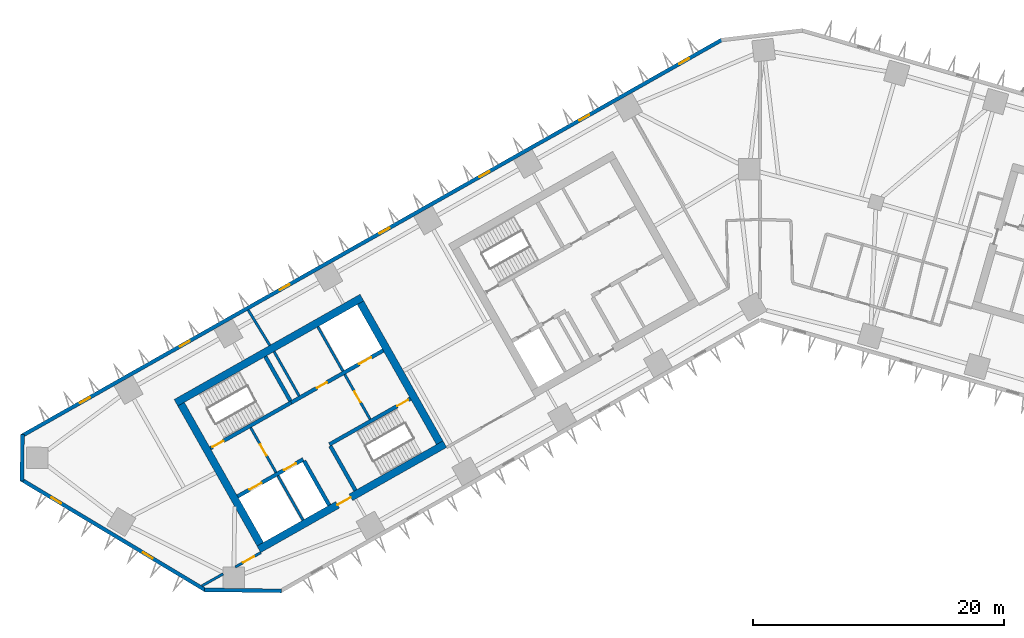
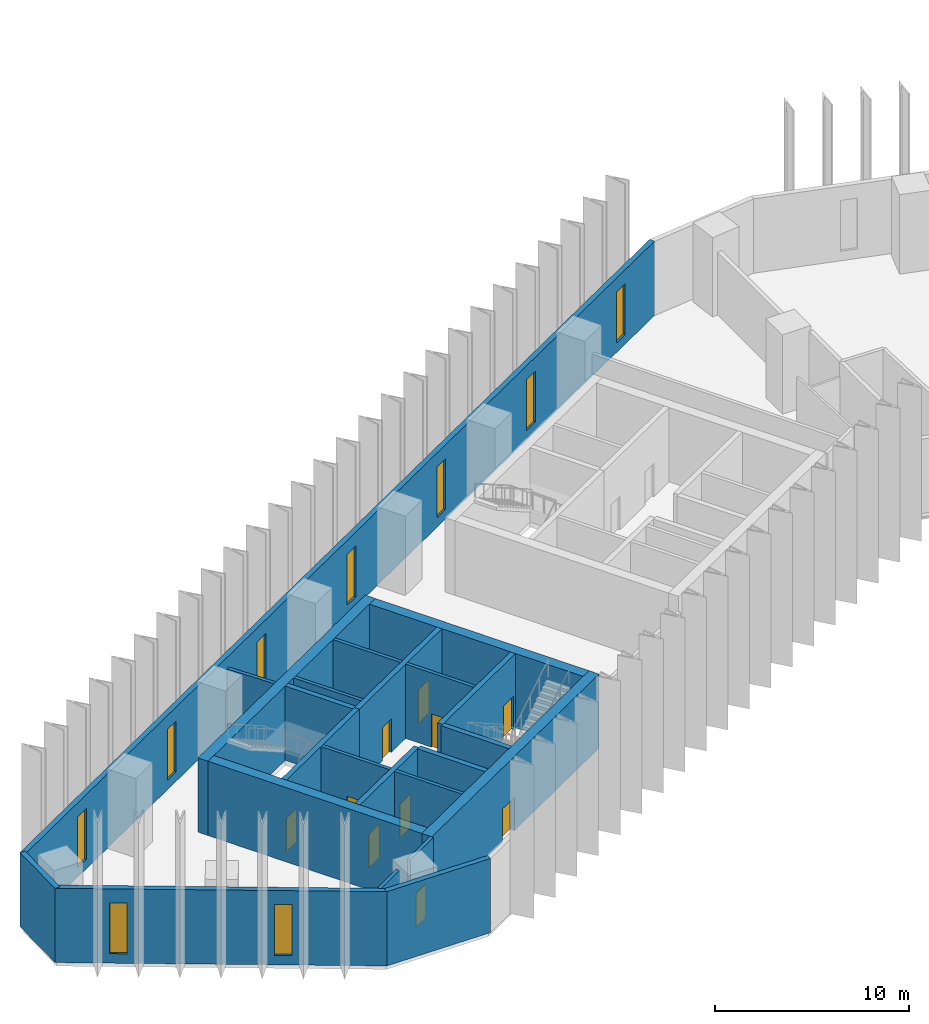
# One storey, part 3 of 11: 23 walls, 10 doors, 9 windows, 19 openings.
"""IFC4 building model written with IfcOpenShell, lengths in metres."""

from ifc_helpers import new_model, si_unit, direction, frame, frame_2d, origin, place, context, subcontext, project, spatial, rectangle, extrude, material, layer, layer_set, type_object, element, fill, save


model = new_model("IFC4")

# Units and contexts
model_context = context("Model", 3, precision=1e-05, world=origin(), true_north=direction((0.0, 1.0)))
body_context = subcontext(model_context, "Body", "Model", "MODEL_VIEW")
ifc_project = project(units=[si_unit("LENGTHUNIT", "METRE"), si_unit("AREAUNIT", "SQUARE_METRE"), si_unit("VOLUMEUNIT", "CUBIC_METRE"), si_unit("PLANEANGLEUNIT", "RADIAN"), si_unit("MASSUNIT", "GRAM", prefix="KILO")], contexts=[model_context])

# Site, building, storey
site_placement = place(None, origin())
site = spatial("IfcSite", under=ifc_project, at=site_placement, CompositionType="ELEMENT")
building_placement = place(site_placement, origin())
building = spatial("IfcBuilding", under=site, at=building_placement, Name="Binnacle Exchange Tower", CompositionType="ELEMENT")
storey_placement = place(building_placement, frame((0.0, 0.0, 56.5)))
storey = spatial("IfcBuildingStorey", under=building, at=storey_placement, Name="L11", CompositionType="ELEMENT", Elevation=56.5)

# Wall, openings, doors
ifc_material_1 = material(Name="Concrete C70/85", Category="concrete")
ifc_layer_1 = layer(ifc_material_1, 0.300048828125)
ifc_layer_set_1 = layer_set([ifc_layer_1], Name="Core wall - front 300")
wall_type_1 = type_object("IfcWallType", Name="Core wall - front 300", PredefinedType="SOLIDWALL", material=ifc_layer_set_1)
wall_1_placement = place(storey_placement, frame((-41.555908203125, 33.9609375, 0.0), z_axis=(0.0, 0.0, 1.0), x_axis=(0.870343731308, 0.492444706919, 0.0)))
wall_1 = element("IfcWall", 1, at=wall_1_placement, inside=storey, type_object=wall_type_1, Name="Core wall CRWA2", PredefinedType="SOLIDWALL", context=body_context, shape_type="SweptSolid", body=[
    extrude(rectangle(XDim=5.999755859375, YDim=0.300048828125, at=frame_2d((3.0, 0.0))), origin(), (0.0, 0.0, 1.0), 4.679931640625),
])
opening_1_placement = place(wall_1_placement, frame((1.099853515625, 0.0, 0.0)))
opening_1 = element("IfcOpeningElement", 2, at=opening_1_placement, cuts=wall_1, Name="Opening LD12", PredefinedType="OPENING", context=body_context, shape_type="SweptSolid", body=[
    extrude(rectangle(XDim=1.10009765625, YDim=2.10009765625, at=frame_2d((0.550048828125, 1.050048828125))), frame((0.0, 0.159912109375, 0.0), z_axis=(0.0, -1.0, 0.0), x_axis=(1.0, 0.0, 0.0)), (0.0, 0.0, 1.0), 0.320068359375),
])
opening_2_placement = place(wall_1_placement, frame((4.25, 0.0, 0.0)))
opening_2 = element("IfcOpeningElement", 3, at=opening_2_placement, cuts=wall_1, Name="Opening LD8", PredefinedType="OPENING", context=body_context, shape_type="SweptSolid", body=[
    extrude(rectangle(XDim=1.10009765625, YDim=2.10009765625, at=frame_2d((0.550048828125, 1.050048828125))), frame((0.0, 0.159912109375, 0.0), z_axis=(0.0, -1.0, 0.0), x_axis=(1.0, 0.0, 0.0)), (0.0, 0.0, 1.0), 0.320068359375),
])
ifc_material_2 = material(Name="Steel door leaf", Category="steel")
door_type_1 = type_object("IfcDoorType", Name="Fire door - lift landing 1100", OperationType="NOTDEFINED", PredefinedType="DOOR", material=ifc_material_2)
door_1_placement = place(opening_1_placement, origin())
door_1 = element("IfcDoor", 4, at=door_1_placement, inside=storey, type_object=door_type_1, Name="Landing door LD12 L11", OperationType="DOUBLE_DOOR_SLIDING", OverallHeight=2.10009765625, OverallWidth=1.10009765625, PredefinedType="DOOR", context=body_context, shape_type="SweptSolid", body=[
    extrude(rectangle(XDim=1.10009765625, YDim=2.10009765625, at=frame_2d((0.550048828125, 1.050048828125))), frame((0.0, 0.02490234375, 0.0), z_axis=(0.0, -1.0, 0.0), x_axis=(1.0, 0.0, 0.0)), (0.0, 0.0, 1.0), 0.050048828125),
])
fill(opening_1, door_1)
door_2_placement = place(opening_2_placement, origin())
door_2 = element("IfcDoor", 5, at=door_2_placement, inside=storey, type_object=door_type_1, Name="Landing door LD8 L11", OperationType="DOUBLE_DOOR_SLIDING", OverallHeight=2.10009765625, OverallWidth=1.10009765625, PredefinedType="DOOR", context=body_context, shape_type="SweptSolid", body=[
    extrude(rectangle(XDim=1.10009765625, YDim=2.10009765625, at=frame_2d((0.550048828125, 1.050048828125))), frame((0.0, 0.02490234375, 0.0), z_axis=(0.0, -1.0, 0.0), x_axis=(1.0, 0.0, 0.0)), (0.0, 0.0, 1.0), 0.050048828125),
])
fill(opening_2, door_2)

wall_2_placement = place(storey_placement, frame((-37.281982421875, 41.4345703125, 0.0), z_axis=(0.0, 0.0, 1.0), x_axis=(0.870356516133, 0.492422110414, 0.0)))
wall_2 = element("IfcWall", 6, at=wall_2_placement, inside=storey, type_object=wall_type_1, Name="Core wall CRWA5", PredefinedType="SOLIDWALL", context=body_context, shape_type="SweptSolid", body=[
    extrude(rectangle(XDim=8.399658203125, YDim=0.300048828125, at=frame_2d((4.19970703125, 0.0))), origin(), (0.0, 0.0, 1.0), 4.679931640625),
])
opening_3_placement = place(wall_2_placement, frame((6.199951171875, 0.0, 0.0)))
opening_3 = element("IfcOpeningElement", 7, at=opening_3_placement, cuts=wall_2, Name="Opening LD13", PredefinedType="OPENING", context=body_context, shape_type="SweptSolid", body=[
    extrude(rectangle(XDim=1.10009765625, YDim=2.10009765625, at=frame_2d((0.550048828125, 1.050048828125))), frame((0.0, 0.159912109375, 0.0), z_axis=(0.0, -1.0, 0.0), x_axis=(1.0, 0.0, 0.0)), (0.0, 0.0, 1.0), 0.320068359375),
])
opening_4_placement = place(wall_2_placement, frame((2.35009765625, 0.0, 0.0)))
opening_4 = element("IfcOpeningElement", 8, at=opening_4_placement, cuts=wall_2, Name="Opening DA10", PredefinedType="OPENING", context=body_context, shape_type="SweptSolid", body=[
    extrude(rectangle(XDim=0.89990234375, YDim=2.10009765625, at=frame_2d((0.449951171875, 1.050048828125))), frame((0.0, 0.159912109375, 0.0), z_axis=(0.0, -1.0, 0.0), x_axis=(1.0, 0.0, 0.0)), (0.0, 0.0, 1.0), 0.320068359375),
])
door_3_placement = place(opening_3_placement, origin())
door_3 = element("IfcDoor", 9, at=door_3_placement, inside=storey, type_object=door_type_1, Name="Landing door LD13 L11", OperationType="DOUBLE_DOOR_SLIDING", OverallHeight=2.10009765625, OverallWidth=1.10009765625, PredefinedType="DOOR", context=body_context, shape_type="SweptSolid", body=[
    extrude(rectangle(XDim=1.10009765625, YDim=2.10009765625, at=frame_2d((0.550048828125, 1.050048828125))), frame((0.0, 0.02490234375, 0.0), z_axis=(0.0, -1.0, 0.0), x_axis=(1.0, 0.0, 0.0)), (0.0, 0.0, 1.0), 0.050048828125),
])
fill(opening_3, door_3)
door_type_2 = type_object("IfcDoorType", Name="Fire door 900", OperationType="NOTDEFINED", PredefinedType="DOOR", material=ifc_material_2)
door_4_placement = place(opening_4_placement, origin())
door_4 = element("IfcDoor", 10, at=door_4_placement, inside=storey, type_object=door_type_2, Name="Core room door EQUIPMENT STORE", OperationType="SINGLE_SWING_LEFT", OverallHeight=2.10009765625, OverallWidth=0.89990234375, PredefinedType="DOOR", context=body_context, shape_type="SweptSolid", body=[
    extrude(rectangle(XDim=0.89990234375, YDim=2.10009765625, at=frame_2d((0.449951171875, 1.050048828125))), frame((0.0, 0.02490234375, 0.0), z_axis=(0.0, -1.0, 0.0), x_axis=(1.0, 0.0, 0.0)), (0.0, 0.0, 1.0), 0.050048828125),
])
fill(opening_4, door_4)

# Wall
wall_3_placement = place(storey_placement, frame((-36.260009765625, 36.784912109375, 0.0), z_axis=(0.0, 0.0, 1.0), x_axis=(0.492440575896, -0.870346068648, 0.0)))
element("IfcWall", 11, at=wall_3_placement, inside=storey, type_object=wall_type_1, Name="Core wall CRWA13", PredefinedType="SOLIDWALL", context=body_context, shape_type="SweptSolid", body=[
    extrude(rectangle(XDim=4.050048828125, YDim=0.300048828125, at=frame_2d((2.02490234375, 0.0))), origin(), (0.0, 0.0, 1.0), 4.679931640625),
])

# Wall, opening, door
ifc_layer_2 = layer(ifc_material_1, 0.60009765625)
ifc_layer_set_2 = layer_set([ifc_layer_2], Name="Core wall - outer 600")
wall_type_2 = type_object("IfcWallType", Name="Core wall - outer 600", PredefinedType="SOLIDWALL", material=ifc_layer_set_2)
wall_4_placement = place(storey_placement, frame((-39.8623046875, 29.748779296875, 0.0), z_axis=(0.0, 0.0, 1.0), x_axis=(0.870350116061, 0.492433422375, 0.0)))
wall_4 = element("IfcWall", 12, at=wall_4_placement, inside=storey, type_object=wall_type_2, Name="Core wall CRWA1", PredefinedType="SOLIDWALL", context=body_context, shape_type="SweptSolid", body=[
    extrude(rectangle(XDim=17.0, YDim=0.60009765625, at=frame_2d((8.5, 0.0))), origin(), (0.0, 0.0, 1.0), 4.679931640625),
])
opening_5_placement = place(wall_4_placement, frame((7.199951171875, 0.0, 0.0)))
opening_5 = element("IfcOpeningElement", 13, at=opening_5_placement, cuts=wall_4, Name="Opening DA7", PredefinedType="OPENING", context=body_context, shape_type="SweptSolid", body=[
    extrude(rectangle(XDim=1.199951171875, YDim=2.10009765625, at=frame_2d((0.60009765625, 1.050048828125))), frame((0.0, 0.31005859375, 0.0), z_axis=(0.0, -1.0, 0.0), x_axis=(1.0, 0.0, 0.0)), (0.0, 0.0, 1.0), 0.6201171875),
])
door_type_3 = type_object("IfcDoorType", Name="Fire door 1200", OperationType="NOTDEFINED", PredefinedType="DOOR", material=ifc_material_2)
door_5_placement = place(opening_5_placement, frame((1.199951171875, 0.0, 0.0), z_axis=(0.0, 0.0, 1.0), x_axis=(-1.0, 0.0, 0.0)))
door_5 = element("IfcDoor", 14, at=door_5_placement, inside=storey, type_object=door_type_3, Name="Lift lobby entrance door core A", OperationType="SINGLE_SWING_RIGHT", OverallHeight=2.10009765625, OverallWidth=1.199951171875, PredefinedType="DOOR", context=body_context, shape_type="SweptSolid", body=[
    extrude(rectangle(XDim=1.199951171875, YDim=2.10009765625, at=frame_2d((0.60009765625, 1.050048828125))), frame((0.0, 0.02490234375, 0.0), z_axis=(0.0, -1.0, 0.0), x_axis=(1.0, 0.0, 0.0)), (0.0, 0.0, 1.0), 0.050048828125),
])
fill(opening_5, door_5)

# Walls
wall_5_placement = place(storey_placement, frame((-46.460693359375, 41.41162109375, 0.0), z_axis=(0.0, 0.0, 1.0), x_axis=(0.870350116061, 0.492433422375, 0.0)))
element("IfcWall", 15, at=wall_5_placement, inside=storey, type_object=wall_type_2, Name="Core wall CRWA6", PredefinedType="SOLIDWALL", context=body_context, shape_type="SweptSolid", body=[
    extrude(rectangle(XDim=17.0, YDim=0.60009765625, at=frame_2d((8.5, 0.0))), origin(), (0.0, 0.0, 1.0), 4.679931640625),
])
for number, where, z_axis, x_axis, name in (
    (16, (-46.052001953125, 41.29833984375, 0.0), (0.0, 0.0, 1.0), (0.492418598281, -0.870358503186, 0.0), "Core wall CRWA7"),
    (17, (-31.7783203125, 49.3740234375, 0.0), (0.0, 0.0, 1.0), (0.492433046652, -0.870350328641, 0.0), "Core wall CRWA22"),
):
    element("IfcWall", number, at=place(storey_placement, frame(where, z_axis=z_axis, x_axis=x_axis)), inside=storey, type_object=wall_type_2, Name=name, PredefinedType="SOLIDWALL", context=body_context, shape_type="SweptSolid", body=[
        extrude(rectangle(XDim=12.800048828125, YDim=0.60009765625, at=frame_2d((6.39990234375, 0.0))), origin(), (0.0, 0.0, 1.0), 4.679931640625),
    ])

# Wall, opening, door
ifc_layer_3 = layer(ifc_material_1, 0.300048828125)
ifc_layer_set_3 = layer_set([ifc_layer_3], Name="Core wall - stair 300")
wall_type_3 = type_object("IfcWallType", Name="Core wall - stair 300", PredefinedType="SOLIDWALL", material=ifc_layer_set_3)
wall_6_placement = place(storey_placement, frame((-34.2451171875, 38.097412109375, 0.0), z_axis=(0.0, 0.0, 1.0), x_axis=(0.870364910201, 0.492407273597, 0.0)))
wall_6 = element("IfcWall", 18, at=wall_6_placement, inside=storey, type_object=wall_type_3, Name="Core wall CRWA3", PredefinedType="SOLIDWALL", context=body_context, shape_type="SweptSolid", body=[
    extrude(rectangle(XDim=7.39990234375, YDim=0.300048828125, at=frame_2d((3.699951171875, 0.0))), origin(), (0.0, 0.0, 1.0), 4.679931640625),
])
opening_6_placement = place(wall_6_placement, frame((6.199951171875, 0.0, 0.0)))
opening_6 = element("IfcOpeningElement", 19, at=opening_6_placement, cuts=wall_6, Name="Opening DA2", PredefinedType="OPENING", context=body_context, shape_type="SweptSolid", body=[
    extrude(rectangle(XDim=1.0, YDim=2.10009765625, at=frame_2d((0.5, 1.050048828125))), frame((0.0, 0.159912109375, 0.0), z_axis=(0.0, -1.0, 0.0), x_axis=(1.0, 0.0, 0.0)), (0.0, 0.0, 1.0), 0.320068359375),
])
door_type_4 = type_object("IfcDoorType", Name="Fire door 1000", OperationType="NOTDEFINED", PredefinedType="DOOR", material=ifc_material_2)
door_6_placement = place(opening_6_placement, frame((1.0, 0.0, 0.0), z_axis=(0.0, 0.0, 1.0), x_axis=(-1.0, 0.0, 0.0)))
door_6 = element("IfcDoor", 20, at=door_6_placement, inside=storey, type_object=door_type_4, Name="Stair door ST-A2", OperationType="SINGLE_SWING_LEFT", OverallHeight=2.10009765625, OverallWidth=1.0, PredefinedType="DOOR", context=body_context, shape_type="SweptSolid", body=[
    extrude(rectangle(XDim=1.0, YDim=2.10009765625, at=frame_2d((0.5, 1.050048828125))), frame((0.0, 0.02490234375, 0.0), z_axis=(0.0, -1.0, 0.0), x_axis=(1.0, 0.0, 0.0)), (0.0, 0.0, 1.0), 0.050048828125),
])
fill(opening_6, door_6)

wall_7_placement = place(storey_placement, frame((-43.72265625, 37.79052734375, 0.0), z_axis=(0.0, 0.0, 1.0), x_axis=(0.87035077051, 0.49243226567, 0.0)))
wall_7 = element("IfcWall", 21, at=wall_7_placement, inside=storey, type_object=wall_type_3, Name="Core wall CRWA4", PredefinedType="SOLIDWALL", context=body_context, shape_type="SweptSolid", body=[
    extrude(rectangle(XDim=7.400146484375, YDim=0.300048828125, at=frame_2d((3.7001953125, 0.0))), origin(), (0.0, 0.0, 1.0), 4.679931640625),
])
opening_7_placement = place(wall_7_placement, frame((0.199951171875, 0.0, 0.0)))
opening_7 = element("IfcOpeningElement", 22, at=opening_7_placement, cuts=wall_7, Name="Opening DA1", PredefinedType="OPENING", context=body_context, shape_type="SweptSolid", body=[
    extrude(rectangle(XDim=1.0, YDim=2.10009765625, at=frame_2d((0.5, 1.050048828125))), frame((0.0, 0.159912109375, 0.0), z_axis=(0.0, -1.0, 0.0), x_axis=(1.0, 0.0, 0.0)), (0.0, 0.0, 1.0), 0.320068359375),
])
door_7_placement = place(opening_7_placement, origin())
door_7 = element("IfcDoor", 23, at=door_7_placement, inside=storey, type_object=door_type_4, Name="Stair door ST-A1", OperationType="SINGLE_SWING_LEFT", OverallHeight=2.10009765625, OverallWidth=1.0, PredefinedType="DOOR", context=body_context, shape_type="SweptSolid", body=[
    extrude(rectangle(XDim=1.0, YDim=2.10009765625, at=frame_2d((0.5, 1.050048828125))), frame((0.0, 0.02490234375, 0.0), z_axis=(0.0, -1.0, 0.0), x_axis=(1.0, 0.0, 0.0)), (0.0, 0.0, 1.0), 0.050048828125),
])
fill(opening_7, door_7)

# Walls
wall_8_placement = place(storey_placement, frame((-39.350341796875, 45.090087890625, 0.0), z_axis=(0.0, 0.0, 1.0), x_axis=(0.49241474071, -0.870360685654, 0.0)))
element("IfcWall", 24, at=wall_8_placement, inside=storey, type_object=wall_type_3, Name="Core wall CRWA14", PredefinedType="SOLIDWALL", context=body_context, shape_type="SweptSolid", body=[
    extrude(rectangle(XDim=4.05029296875, YDim=0.300048828125, at=frame_2d((2.025146484375, 0.0))), origin(), (0.0, 0.0, 1.0), 4.679931640625),
])
wall_9_placement = place(storey_placement, frame((-34.171142578125, 37.966796875, 0.0), z_axis=(0.0, 0.0, 1.0), x_axis=(0.492394910396, -0.870371904542, 0.0)))
element("IfcWall", 25, at=wall_9_placement, inside=storey, type_object=wall_type_3, Name="Core wall CRWA16", PredefinedType="SOLIDWALL", context=body_context, shape_type="SweptSolid", body=[
    extrude(rectangle(XDim=4.0498046875, YDim=0.300048828125, at=frame_2d((2.02490234375, 0.0))), origin(), (0.0, 0.0, 1.0), 4.679931640625),
])

# Wall, openings, windows
ifc_material_3 = material(Name="Bronze aluminium cladding", Category="aluminium")
ifc_layer_4 = layer(ifc_material_3, 0.300048828125)
ifc_layer_set_4 = layer_set([ifc_layer_4], Name="External wall - spandrel 300")
wall_type_4 = type_object("IfcWallType", Name="External wall - spandrel 300", PredefinedType="STANDARD", material=ifc_layer_set_4)
wall_10_placement = place(storey_placement, frame((-58.744873046875, 38.763671875, 0.0), z_axis=(0.0, 0.0, 1.0), x_axis=(0.870355811726, 0.492423355453, 0.0)))
wall_10 = element("IfcWall", 26, at=wall_10_placement, inside=storey, type_object=wall_type_4, Name="External wall EW-F03 L11", PredefinedType="STANDARD", context=body_context, shape_type="SweptSolid", body=[
    extrude(rectangle(XDim=64.025390625, YDim=0.300048828125, at=frame_2d((32.0126953125, 0.0))), origin(), (0.0, 0.0, 1.0), 4.679931640625),
])
opening_8_placement = place(wall_10_placement, frame((60.12158203125, 0.0, 0.60009765625)))
opening_8 = element("IfcOpeningElement", 27, at=opening_8_placement, cuts=wall_10, Name="Opening WS1", PredefinedType="OPENING", context=body_context, shape_type="SweptSolid", body=[
    extrude(rectangle(XDim=0.89990234375, YDim=3.199951171875, at=frame_2d((0.449951171875, 1.60009765625))), frame((0.0, 0.159912109375, 0.0), z_axis=(0.0, -1.0, 0.0), x_axis=(1.0, 0.0, 0.0)), (0.0, 0.0, 1.0), 0.320068359375),
])
opening_9_placement = place(wall_10_placement, frame((50.99169921875, 0.0, 0.60009765625)))
opening_9 = element("IfcOpeningElement", 28, at=opening_9_placement, cuts=wall_10, Name="Opening WS1", PredefinedType="OPENING", context=body_context, shape_type="SweptSolid", body=[
    extrude(rectangle(XDim=0.89990234375, YDim=3.199951171875, at=frame_2d((0.449951171875, 1.60009765625))), frame((0.0, 0.159912109375, 0.0), z_axis=(0.0, -1.0, 0.0), x_axis=(1.0, 0.0, 0.0)), (0.0, 0.0, 1.0), 0.320068359375),
])
opening_10_placement = place(wall_10_placement, frame((41.86181640625, 0.0, 0.60009765625)))
opening_10 = element("IfcOpeningElement", 29, at=opening_10_placement, cuts=wall_10, Name="Opening WS1", PredefinedType="OPENING", context=body_context, shape_type="SweptSolid", body=[
    extrude(rectangle(XDim=0.89990234375, YDim=3.199951171875, at=frame_2d((0.449951171875, 1.60009765625))), frame((0.0, 0.159912109375, 0.0), z_axis=(0.0, -1.0, 0.0), x_axis=(1.0, 0.0, 0.0)), (0.0, 0.0, 1.0), 0.320068359375),
])
opening_11_placement = place(wall_10_placement, frame((32.73193359375, 0.0, 0.60009765625)))
opening_11 = element("IfcOpeningElement", 30, at=opening_11_placement, cuts=wall_10, Name="Opening WS1", PredefinedType="OPENING", context=body_context, shape_type="SweptSolid", body=[
    extrude(rectangle(XDim=0.89990234375, YDim=3.199951171875, at=frame_2d((0.449951171875, 1.60009765625))), frame((0.0, 0.159912109375, 0.0), z_axis=(0.0, -1.0, 0.0), x_axis=(1.0, 0.0, 0.0)), (0.0, 0.0, 1.0), 0.320068359375),
])
opening_12_placement = place(wall_10_placement, frame((23.60205078125, 0.0, 0.60009765625)))
opening_12 = element("IfcOpeningElement", 31, at=opening_12_placement, cuts=wall_10, Name="Opening WS1", PredefinedType="OPENING", context=body_context, shape_type="SweptSolid", body=[
    extrude(rectangle(XDim=0.89990234375, YDim=3.199951171875, at=frame_2d((0.449951171875, 1.60009765625))), frame((0.0, 0.159912109375, 0.0), z_axis=(0.0, -1.0, 0.0), x_axis=(1.0, 0.0, 0.0)), (0.0, 0.0, 1.0), 0.320068359375),
])
opening_13_placement = place(wall_10_placement, frame((14.47216796875, 0.0, 0.60009765625)))
opening_13 = element("IfcOpeningElement", 32, at=opening_13_placement, cuts=wall_10, Name="Opening WS1", PredefinedType="OPENING", context=body_context, shape_type="SweptSolid", body=[
    extrude(rectangle(XDim=0.89990234375, YDim=3.199951171875, at=frame_2d((0.449951171875, 1.60009765625))), frame((0.0, 0.159912109375, 0.0), z_axis=(0.0, -1.0, 0.0), x_axis=(1.0, 0.0, 0.0)), (0.0, 0.0, 1.0), 0.320068359375),
])
opening_14_placement = place(wall_10_placement, frame((5.34228515625, 0.0, 0.60009765625)))
opening_14 = element("IfcOpeningElement", 33, at=opening_14_placement, cuts=wall_10, Name="Opening WS1", PredefinedType="OPENING", context=body_context, shape_type="SweptSolid", body=[
    extrude(rectangle(XDim=0.89990234375, YDim=3.199951171875, at=frame_2d((0.449951171875, 1.60009765625))), frame((0.0, 0.159912109375, 0.0), z_axis=(0.0, -1.0, 0.0), x_axis=(1.0, 0.0, 0.0)), (0.0, 0.0, 1.0), 0.320068359375),
])
ifc_material_4 = material(Name="Bronze anodised aluminium frame", Category="aluminium")
window_type = type_object("IfcWindowType", Name="WS1 WINDOW 900x3200", PartitioningType="SINGLE_PANEL", PredefinedType="WINDOW", material=ifc_material_4)
window_1_placement = place(opening_8_placement, origin())
window_1 = element("IfcWindow", 34, at=window_1_placement, inside=storey, type_object=window_type, Name="Window WS1 L11", OverallHeight=3.199951171875, OverallWidth=0.89990234375, PartitioningType="SINGLE_PANEL", PredefinedType="WINDOW", context=body_context, shape_type="SweptSolid", body=[
    extrude(rectangle(XDim=0.89990234375, YDim=3.199951171875, at=frame_2d((0.449951171875, 1.60009765625))), frame((0.0, 0.030029296875, 0.0), z_axis=(0.0, -1.0, 0.0), x_axis=(1.0, 0.0, 0.0)), (0.0, 0.0, 1.0), 0.06005859375),
])
fill(opening_8, window_1)
window_2_placement = place(opening_9_placement, origin())
window_2 = element("IfcWindow", 35, at=window_2_placement, inside=storey, type_object=window_type, Name="Window WS1 L11", OverallHeight=3.199951171875, OverallWidth=0.89990234375, PartitioningType="SINGLE_PANEL", PredefinedType="WINDOW", context=body_context, shape_type="SweptSolid", body=[
    extrude(rectangle(XDim=0.89990234375, YDim=3.199951171875, at=frame_2d((0.449951171875, 1.60009765625))), frame((0.0, 0.030029296875, 0.0), z_axis=(0.0, -1.0, 0.0), x_axis=(1.0, 0.0, 0.0)), (0.0, 0.0, 1.0), 0.06005859375),
])
fill(opening_9, window_2)
window_3_placement = place(opening_10_placement, origin())
window_3 = element("IfcWindow", 36, at=window_3_placement, inside=storey, type_object=window_type, Name="Window WS1 L11", OverallHeight=3.199951171875, OverallWidth=0.89990234375, PartitioningType="SINGLE_PANEL", PredefinedType="WINDOW", context=body_context, shape_type="SweptSolid", body=[
    extrude(rectangle(XDim=0.89990234375, YDim=3.199951171875, at=frame_2d((0.449951171875, 1.60009765625))), frame((0.0, 0.030029296875, 0.0), z_axis=(0.0, -1.0, 0.0), x_axis=(1.0, 0.0, 0.0)), (0.0, 0.0, 1.0), 0.06005859375),
])
fill(opening_10, window_3)
window_4_placement = place(opening_11_placement, origin())
window_4 = element("IfcWindow", 37, at=window_4_placement, inside=storey, type_object=window_type, Name="Window WS1 L11", OverallHeight=3.199951171875, OverallWidth=0.89990234375, PartitioningType="SINGLE_PANEL", PredefinedType="WINDOW", context=body_context, shape_type="SweptSolid", body=[
    extrude(rectangle(XDim=0.89990234375, YDim=3.199951171875, at=frame_2d((0.449951171875, 1.60009765625))), frame((0.0, 0.030029296875, 0.0), z_axis=(0.0, -1.0, 0.0), x_axis=(1.0, 0.0, 0.0)), (0.0, 0.0, 1.0), 0.06005859375),
])
fill(opening_11, window_4)
window_5_placement = place(opening_12_placement, origin())
window_5 = element("IfcWindow", 38, at=window_5_placement, inside=storey, type_object=window_type, Name="Window WS1 L11", OverallHeight=3.199951171875, OverallWidth=0.89990234375, PartitioningType="SINGLE_PANEL", PredefinedType="WINDOW", context=body_context, shape_type="SweptSolid", body=[
    extrude(rectangle(XDim=0.89990234375, YDim=3.199951171875, at=frame_2d((0.449951171875, 1.60009765625))), frame((0.0, 0.030029296875, 0.0), z_axis=(0.0, -1.0, 0.0), x_axis=(1.0, 0.0, 0.0)), (0.0, 0.0, 1.0), 0.06005859375),
])
fill(opening_12, window_5)
window_6_placement = place(opening_13_placement, origin())
window_6 = element("IfcWindow", 39, at=window_6_placement, inside=storey, type_object=window_type, Name="Window WS1 L11", OverallHeight=3.199951171875, OverallWidth=0.89990234375, PartitioningType="SINGLE_PANEL", PredefinedType="WINDOW", context=body_context, shape_type="SweptSolid", body=[
    extrude(rectangle(XDim=0.89990234375, YDim=3.199951171875, at=frame_2d((0.449951171875, 1.60009765625))), frame((0.0, 0.030029296875, 0.0), z_axis=(0.0, -1.0, 0.0), x_axis=(1.0, 0.0, 0.0)), (0.0, 0.0, 1.0), 0.06005859375),
])
fill(opening_13, window_6)
window_7_placement = place(opening_14_placement, origin())
window_7 = element("IfcWindow", 40, at=window_7_placement, inside=storey, type_object=window_type, Name="Window WS1 L11", OverallHeight=3.199951171875, OverallWidth=0.89990234375, PartitioningType="SINGLE_PANEL", PredefinedType="WINDOW", context=body_context, shape_type="SweptSolid", body=[
    extrude(rectangle(XDim=0.89990234375, YDim=3.199951171875, at=frame_2d((0.449951171875, 1.60009765625))), frame((0.0, 0.030029296875, 0.0), z_axis=(0.0, -1.0, 0.0), x_axis=(1.0, 0.0, 0.0)), (0.0, 0.0, 1.0), 0.06005859375),
])
fill(opening_14, window_7)

# Wall
wall_11_placement = place(storey_placement, frame((-58.717041015625, 35.19384765625, 0.0), z_axis=(0.0, 0.0, 1.0), x_axis=(0.013069053407, 0.999914596275, 0.0)))
element("IfcWall", 41, at=wall_11_placement, inside=storey, type_object=wall_type_4, Name="External wall EW-F04 L11", PredefinedType="STANDARD", context=body_context, shape_type="SweptSolid", body=[
    extrude(rectangle(XDim=3.69873046875, YDim=0.300048828125, at=frame_2d((1.849365234375, 0.0))), origin(), (0.0, 0.0, 1.0), 4.679931640625),
])

# Wall, openings, windows
wall_12_placement = place(storey_placement, frame((-44.109375, 26.503662109375, 0.0), z_axis=(0.0, 0.0, 1.0), x_axis=(-0.857169502585, 0.515034410344, 0.0)))
wall_12 = element("IfcWall", 42, at=wall_12_placement, inside=storey, type_object=wall_type_4, Name="External wall EW-F05 L11", PredefinedType="STANDARD", context=body_context, shape_type="SweptSolid", body=[
    extrude(rectangle(XDim=17.126708984375, YDim=0.300048828125, at=frame_2d((8.5634765625, 0.0))), origin(), (0.0, 0.0, 1.0), 4.679931640625),
])
opening_15_placement = place(wall_12_placement, frame((13.403076171875, 0.0, 0.60009765625)))
opening_15 = element("IfcOpeningElement", 43, at=opening_15_placement, cuts=wall_12, Name="Opening WS1", PredefinedType="OPENING", context=body_context, shape_type="SweptSolid", body=[
    extrude(rectangle(XDim=0.89990234375, YDim=3.199951171875, at=frame_2d((0.449951171875, 1.60009765625))), frame((0.0, 0.159912109375, 0.0), z_axis=(0.0, -1.0, 0.0), x_axis=(1.0, 0.0, 0.0)), (0.0, 0.0, 1.0), 0.320068359375),
])
opening_16_placement = place(wall_12_placement, frame((4.903076171875, 0.0, 0.60009765625)))
opening_16 = element("IfcOpeningElement", 44, at=opening_16_placement, cuts=wall_12, Name="Opening WS1", PredefinedType="OPENING", context=body_context, shape_type="SweptSolid", body=[
    extrude(rectangle(XDim=0.89990234375, YDim=3.199951171875, at=frame_2d((0.449951171875, 1.60009765625))), frame((0.0, 0.159912109375, 0.0), z_axis=(0.0, -1.0, 0.0), x_axis=(1.0, 0.0, 0.0)), (0.0, 0.0, 1.0), 0.320068359375),
])
window_8_placement = place(opening_15_placement, origin())
window_8 = element("IfcWindow", 45, at=window_8_placement, inside=storey, type_object=window_type, Name="Window WS1 L11", OverallHeight=3.199951171875, OverallWidth=0.89990234375, PartitioningType="SINGLE_PANEL", PredefinedType="WINDOW", context=body_context, shape_type="SweptSolid", body=[
    extrude(rectangle(XDim=0.89990234375, YDim=3.199951171875, at=frame_2d((0.449951171875, 1.60009765625))), frame((0.0, 0.030029296875, 0.0), z_axis=(0.0, -1.0, 0.0), x_axis=(1.0, 0.0, 0.0)), (0.0, 0.0, 1.0), 0.06005859375),
])
fill(opening_15, window_8)
window_9_placement = place(opening_16_placement, origin())
window_9 = element("IfcWindow", 46, at=window_9_placement, inside=storey, type_object=window_type, Name="Window WS1 L11", OverallHeight=3.199951171875, OverallWidth=0.89990234375, PartitioningType="SINGLE_PANEL", PredefinedType="WINDOW", context=body_context, shape_type="SweptSolid", body=[
    extrude(rectangle(XDim=0.89990234375, YDim=3.199951171875, at=frame_2d((0.449951171875, 1.60009765625))), frame((0.0, 0.030029296875, 0.0), z_axis=(0.0, -1.0, 0.0), x_axis=(1.0, 0.0, 0.0)), (0.0, 0.0, 1.0), 0.06005859375),
])
fill(opening_16, window_9)

# Walls
wall_13_placement = place(storey_placement, frame((-38.057373046875, 26.44482421875, 0.0), z_axis=(0.0, 0.0, 1.0), x_axis=(-0.999914086342, 0.013108010296, 0.0)))
element("IfcWall", 47, at=wall_13_placement, inside=storey, type_object=wall_type_4, Name="External wall EW-F06 L11", PredefinedType="STANDARD", context=body_context, shape_type="SweptSolid", body=[
    extrude(rectangle(XDim=6.127685546875, YDim=0.300048828125, at=frame_2d((3.06396484375, 0.0))), origin(), (0.0, 0.0, 1.0), 4.679931640625),
])
ifc_material_5 = material(Name="Masonry block wall", Category="masonry")
ifc_layer_5 = layer(ifc_material_5, 0.199951171875)
ifc_layer_set_5 = layer_set([ifc_layer_5], Name="Fire wall - block 200")
wall_type_5 = type_object("IfcWallType", Name="Fire wall - block 200", PredefinedType="PARTITIONING", material=ifc_layer_set_5)
wall_14_placement = place(storey_placement, frame((-44.385986328125, 26.844970703125, 0.0), z_axis=(0.0, 0.0, 1.0), x_axis=(0.870226201187, 0.492652371118, 0.0)))
element("IfcWall", 48, at=wall_14_placement, inside=storey, type_object=wall_type_5, Name="Partition W01", PredefinedType="PARTITIONING", context=body_context, shape_type="SweptSolid", body=[
    extrude(rectangle(XDim=1.9326171875, YDim=0.199951171875, at=frame_2d((0.96630859375, 0.0))), origin(), (0.0, 0.0, 1.0), 4.679931640625),
])

# Wall, opening, door
wall_15_placement = place(storey_placement, frame((-41.738037109375, 28.343017578125, 0.0), z_axis=(0.0, 0.0, 1.0), x_axis=(0.870265350095, 0.492583211676, 0.0)))
wall_15 = element("IfcWall", 49, at=wall_15_placement, inside=storey, type_object=wall_type_5, Name="Partition W02", PredefinedType="PARTITIONING", context=body_context, shape_type="SweptSolid", body=[
    extrude(rectangle(XDim=2.324462890625, YDim=0.199951171875, at=frame_2d((1.162109375, 0.0))), origin(), (0.0, 0.0, 1.0), 4.679931640625),
])
opening_17_placement = place(wall_15_placement, frame((0.699951171875, 0.0, 0.0)))
opening_17 = element("IfcOpeningElement", 50, at=opening_17_placement, cuts=wall_15, Name="Opening DL11-01", PredefinedType="OPENING", context=body_context, shape_type="SweptSolid", body=[
    extrude(rectangle(XDim=1.0, YDim=2.10009765625, at=frame_2d((0.5, 1.050048828125))), frame((0.0, 0.10986328125, 0.0), z_axis=(0.0, -1.0, 0.0), x_axis=(1.0, 0.0, 0.0)), (0.0, 0.0, 1.0), 0.219970703125),
])
door_8_placement = place(opening_17_placement, origin())
door_8 = element("IfcDoor", 51, at=door_8_placement, inside=storey, type_object=door_type_4, Name="Door DL11-01", OperationType="SINGLE_SWING_RIGHT", OverallHeight=2.10009765625, OverallWidth=1.0, PredefinedType="DOOR", context=body_context, shape_type="SweptSolid", body=[
    extrude(rectangle(XDim=1.0, YDim=2.10009765625, at=frame_2d((0.5, 1.050048828125))), frame((0.0, 0.02490234375, 0.0), z_axis=(0.0, -1.0, 0.0), x_axis=(1.0, 0.0, 0.0)), (0.0, 0.0, 1.0), 0.050048828125),
])
fill(opening_17, door_8)

# Wall
wall_16_placement = place(storey_placement, frame((-40.712890625, 48.7939453125, 0.0), z_axis=(0.0, 0.0, 1.0), x_axis=(0.52165366254, -0.853157345604, 0.0)))
element("IfcWall", 52, at=wall_16_placement, inside=storey, type_object=wall_type_5, Name="Partition W03", PredefinedType="PARTITIONING", context=body_context, shape_type="SweptSolid", body=[
    extrude(rectangle(XDim=3.297119140625, YDim=0.199951171875, at=frame_2d((1.6484375, 0.0))), origin(), (0.0, 0.0, 1.0), 3.9599609375),
])

# Wall, opening, door
ifc_layer_6 = layer(ifc_material_5, 0.199951171875)
ifc_layer_set_6 = layer_set([ifc_layer_6], Name="Fire wall - vestibule 200")
wall_type_6 = type_object("IfcWallType", Name="Fire wall - vestibule 200", PredefinedType="PARTITIONING", material=ifc_layer_set_6)
wall_17_placement = place(storey_placement, frame((-40.515625, 39.4326171875, 0.0), z_axis=(0.0, 0.0, 1.0), x_axis=(0.492453559952, -0.87033872216, 0.0)))
wall_17 = element("IfcWall", 53, at=wall_17_placement, inside=storey, type_object=wall_type_6, Name="Core wall CRWA10", PredefinedType="PARTITIONING", context=body_context, shape_type="SweptSolid", body=[
    extrude(rectangle(XDim=4.099853515625, YDim=0.199951171875, at=frame_2d((2.0498046875, 0.0))), origin(), (0.0, 0.0, 1.0), 4.679931640625),
])
opening_18_placement = place(wall_17_placement, frame((1.550048828125, 0.0, 0.0)))
opening_18 = element("IfcOpeningElement", 54, at=opening_18_placement, cuts=wall_17, Name="Opening DA3", PredefinedType="OPENING", context=body_context, shape_type="SweptSolid", body=[
    extrude(rectangle(XDim=1.0, YDim=2.10009765625, at=frame_2d((0.5, 1.050048828125))), frame((0.0, 0.10986328125, 0.0), z_axis=(0.0, -1.0, 0.0), x_axis=(1.0, 0.0, 0.0)), (0.0, 0.0, 1.0), 0.219970703125),
])
door_9_placement = place(opening_18_placement, frame((1.0, 0.0, 0.0), z_axis=(0.0, 0.0, 1.0), x_axis=(-1.0, 0.0, 0.0)))
door_9 = element("IfcDoor", 55, at=door_9_placement, inside=storey, type_object=door_type_4, Name="Vestibule door VEST-W", OperationType="SINGLE_SWING_LEFT", OverallHeight=2.10009765625, OverallWidth=1.0, PredefinedType="DOOR", context=body_context, shape_type="SweptSolid", body=[
    extrude(rectangle(XDim=1.0, YDim=2.10009765625, at=frame_2d((0.5, 1.050048828125))), frame((0.0, 0.02490234375, 0.0), z_axis=(0.0, -1.0, 0.0), x_axis=(1.0, 0.0, 0.0)), (0.0, 0.0, 1.0), 0.050048828125),
])
fill(opening_18, door_9)

wall_18_placement = place(storey_placement, frame((-33.030517578125, 43.66748046875, 0.0), z_axis=(0.0, 0.0, 1.0), x_axis=(0.492408451753, -0.87036424366, 0.0)))
wall_18 = element("IfcWall", 56, at=wall_18_placement, inside=storey, type_object=wall_type_6, Name="Core wall CRWA19", PredefinedType="PARTITIONING", context=body_context, shape_type="SweptSolid", body=[
    extrude(rectangle(XDim=4.099853515625, YDim=0.199951171875, at=frame_2d((2.0498046875, 0.0))), origin(), (0.0, 0.0, 1.0), 4.679931640625),
])
opening_19_placement = place(wall_18_placement, frame((1.550048828125, 0.0, 0.0)))
opening_19 = element("IfcOpeningElement", 57, at=opening_19_placement, cuts=wall_18, Name="Opening DA4", PredefinedType="OPENING", context=body_context, shape_type="SweptSolid", body=[
    extrude(rectangle(XDim=1.0, YDim=2.10009765625, at=frame_2d((0.5, 1.050048828125))), frame((0.0, 0.10986328125, 0.0), z_axis=(0.0, -1.0, 0.0), x_axis=(1.0, 0.0, 0.0)), (0.0, 0.0, 1.0), 0.219970703125),
])
door_10_placement = place(opening_19_placement, origin())
door_10 = element("IfcDoor", 58, at=door_10_placement, inside=storey, type_object=door_type_4, Name="Vestibule door VEST-E", OperationType="SINGLE_SWING_RIGHT", OverallHeight=2.10009765625, OverallWidth=1.0, PredefinedType="DOOR", context=body_context, shape_type="SweptSolid", body=[
    extrude(rectangle(XDim=1.0, YDim=2.10009765625, at=frame_2d((0.5, 1.050048828125))), frame((0.0, 0.02490234375, 0.0), z_axis=(0.0, -1.0, 0.0), x_axis=(1.0, 0.0, 0.0)), (0.0, 0.0, 1.0), 0.050048828125),
])
fill(opening_19, door_10)

# Walls
ifc_layer_7 = layer(ifc_material_5, 0.199951171875)
ifc_layer_set_7 = layer_set([ifc_layer_7], Name="Riser wall 200")
wall_type_7 = type_object("IfcWallType", Name="Riser wall 200", PredefinedType="SOLIDWALL", material=ifc_layer_set_7)
wall_19_placement = place(storey_placement, frame((-38.654052734375, 45.48388671875, 0.0), z_axis=(0.0, 0.0, 1.0), x_axis=(0.492440575896, -0.870346068648, 0.0)))
element("IfcWall", 59, at=wall_19_placement, inside=storey, type_object=wall_type_7, Name="Core wall CRWA15", PredefinedType="SOLIDWALL", context=body_context, shape_type="SweptSolid", body=[
    extrude(rectangle(XDim=4.050048828125, YDim=0.199951171875, at=frame_2d((2.02490234375, 0.0))), origin(), (0.0, 0.0, 1.0), 4.679931640625),
])
ifc_layer_8 = layer(ifc_material_5, 0.199951171875)
ifc_layer_set_8 = layer_set([ifc_layer_8], Name="Shaft wall 200")
wall_type_8 = type_object("IfcWallType", Name="Shaft wall 200", PredefinedType="SOLIDWALL", material=ifc_layer_set_8)
wall_20_placement = place(storey_placement, frame((-38.348876953125, 35.603271484375, 0.0), z_axis=(0.0, 0.0, 1.0), x_axis=(0.49241474071, -0.870360685654, 0.0)))
element("IfcWall", 60, at=wall_20_placement, inside=storey, type_object=wall_type_8, Name="Core wall CRWA9", PredefinedType="SOLIDWALL", context=body_context, shape_type="SweptSolid", body=[
    extrude(rectangle(XDim=4.05029296875, YDim=0.199951171875, at=frame_2d((2.025146484375, 0.0))), origin(), (0.0, 0.0, 1.0), 4.679931640625),
])
wall_21_placement = place(storey_placement, frame((-35.172607421875, 47.45361328125, 0.0), z_axis=(0.0, 0.0, 1.0), x_axis=(0.492440575896, -0.870346068648, 0.0)))
element("IfcWall", 61, at=wall_21_placement, inside=storey, type_object=wall_type_8, Name="Core wall CRWA21", PredefinedType="SOLIDWALL", context=body_context, shape_type="SweptSolid", body=[
    extrude(rectangle(XDim=4.050048828125, YDim=0.199951171875, at=frame_2d((2.02490234375, 0.0))), origin(), (0.0, 0.0, 1.0), 4.679931640625),
])

save(model, "model.ifc")
